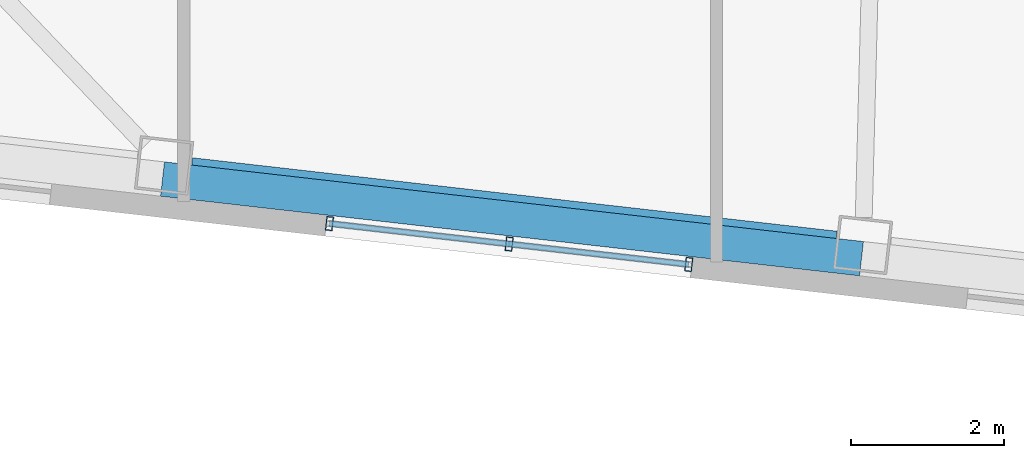
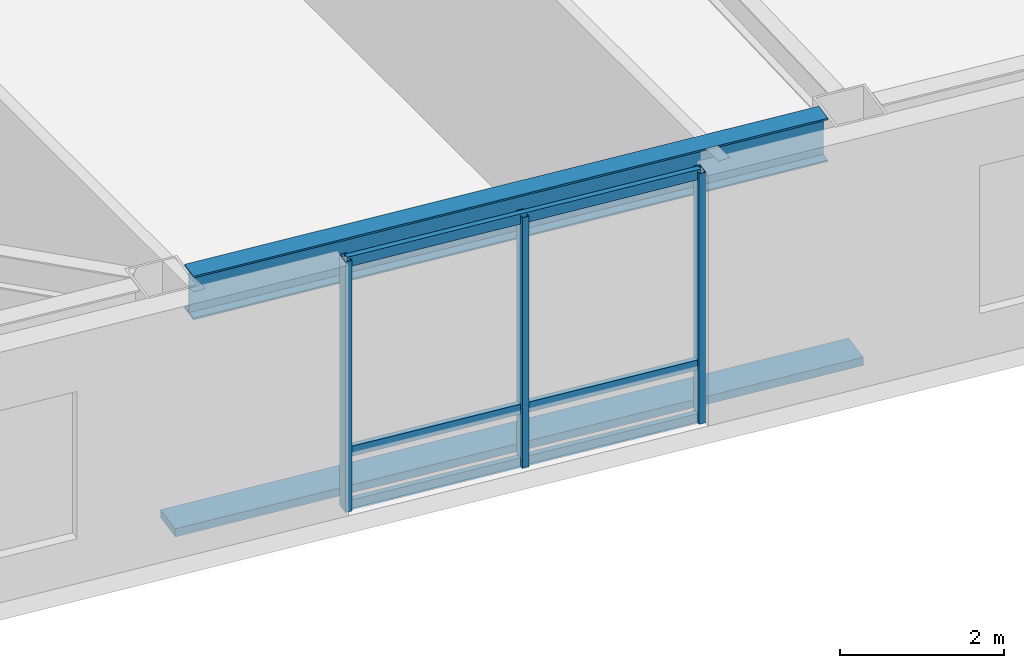
# One storey, part 4 of 23: 7 members, 1 beam, 1 element without a shape of its own.
"""IFC4 building model written with IfcOpenShell, lengths in metres."""

from ifc_helpers import new_model, si_unit, direction, frame, origin, origin_2d, place, context, subcontext, project, spatial, rectangle, hollow_rectangle, i_section, extrude, material, layer, layer_set, material_profile, profile_set, type_object, element, aggregate, save


model = new_model("IFC4")

# Units and contexts
model_context = context("Model", 3, precision=1e-05, world=origin(), true_north=direction((0.0, 1.0)))
body_context = subcontext(model_context, "Body", "Model", "MODEL_VIEW")
ifc_project = project(units=[si_unit("LENGTHUNIT", "METRE"), si_unit("AREAUNIT", "SQUARE_METRE"), si_unit("VOLUMEUNIT", "CUBIC_METRE"), si_unit("PLANEANGLEUNIT", "RADIAN"), si_unit("MASSUNIT", "GRAM", prefix="KILO")], contexts=[model_context])

# Site, building, storey
site_placement = place(None, origin())
site = spatial("IfcSite", under=ifc_project, at=site_placement, CompositionType="ELEMENT")
building_placement = place(site_placement, origin())
building = spatial("IfcBuilding", under=site, at=building_placement, Name="Tavrogorsk Clinical Tower", CompositionType="ELEMENT")
storey_placement = place(building_placement, frame((0.0, 0.0, 113.39990234375)))
storey = spatial("IfcBuildingStorey", under=building, at=storey_placement, Name="L25", CompositionType="ELEMENT", Elevation=113.39990234375)

# Member
ifc_material_1 = material(Name="Anodised aluminium alloy AW-6063", Category="aluminium")
ifc_material_profile_1 = material_profile(ifc_material_1, rectangle(XDim=0.449951171875, YDim=0.1201171875, at=origin_2d()), Name="ALU-SUNSHADE-450x120")
ifc_profile_set_1 = profile_set([ifc_material_profile_1], Name="Anodised aluminium alloy AW-6063")
member_type_1 = type_object("IfcMemberType", Name="ChicagoSunshade_450x120", PredefinedType="USERDEFINED", material=ifc_profile_set_1)
member_1_placement = place(storey_placement, frame((-14.028076171875, -24.385498046875, 0.18017578125), z_axis=(0.993572654864, -0.113196199166, 0.0), x_axis=(0.113196199166, 0.993572654864, 0.0)))
element("IfcMember", 1, at=member_1_placement, inside=storey, type_object=member_type_1, Name="L25 South Aluminium Sunshade S3", ObjectType="SUNSHADE", PredefinedType="USERDEFINED", context=body_context, shape_type="SweptSolid", body=[
    extrude(rectangle(XDim=0.449951171875, YDim=0.1201171875, at=origin_2d()), origin(), (0.0, 0.0, 1.0), 9.17724609375),
])

# Curtain wall, members
ifc_material_2 = material(Name="Anodised aluminium and triple IGU glazing", Category="aluminium")
ifc_layer = layer(ifc_material_2, 0.179931640625)
ifc_layer_set = layer_set([ifc_layer], Name="Anodised aluminium and triple IGU glazing")
curtain_wall_type = type_object("IfcCurtainWallType", Name="CW3_SouthSlot", PredefinedType="NOTDEFINED", material=ifc_layer_set)
curtain_wall_placement = place(storey_placement, origin())
curtain_wall = element("IfcCurtainWall", 2, at=curtain_wall_placement, inside=storey, type_object=curtain_wall_type, Name="L25 Curtain Wall CW-L25-S-SLOT-1", PredefinedType="NOTDEFINED")
ifc_material_3 = material(Name="Anodised aluminium alloy AW-6060", Category="aluminium")
ifc_material_profile_2 = material_profile(ifc_material_3, hollow_rectangle(XDim=0.090087890625, YDim=0.179931640625, WallThickness=0.00634765625, at=origin_2d()), Name="RHS-180x90x6.3")
ifc_profile_set_2 = profile_set([ifc_material_profile_2], Name="Anodised aluminium alloy AW-6060")
member_type_2 = type_object("IfcMemberType", Name="CwMullion_180x90", PredefinedType="MULLION", material=ifc_profile_set_2)
member_2_placement = place(storey_placement, frame((-11.850341796875, -24.9658203125, 0.0), z_axis=(0.0, 0.0, 1.0), x_axis=(0.993571855603, -0.11320321441, 0.0)))
member_2 = element("IfcMember", 3, at=member_2_placement, type_object=member_type_2, Name="CW-L25-S-SLOT-1 Mullion 1", PredefinedType="MULLION", context=body_context, shape_type="SweptSolid", body=[
    extrude(hollow_rectangle(XDim=0.090087890625, YDim=0.179931640625, WallThickness=0.00634765625, at=origin_2d()), origin(), (0.0, 0.0, 1.0), 3.739990234375),
])
member_3_placement = place(storey_placement, frame((-9.50634765625, -25.23291015625, 0.0), z_axis=(0.0, 0.0, 1.0), x_axis=(0.993571855603, -0.11320321441, 0.0)))
member_3 = element("IfcMember", 4, at=member_3_placement, type_object=member_type_2, Name="CW-L25-S-SLOT-1 Mullion 2", PredefinedType="MULLION", context=body_context, shape_type="SweptSolid", body=[
    extrude(hollow_rectangle(XDim=0.090087890625, YDim=0.179931640625, WallThickness=0.00634765625, at=origin_2d()), origin(), (0.0, 0.0, 1.0), 3.739990234375),
])
member_4_placement = place(storey_placement, frame((-7.16259765625, -25.499755859375, 0.0), z_axis=(0.0, 0.0, 1.0), x_axis=(0.993571855603, -0.11320321441, 0.0)))
member_4 = element("IfcMember", 5, at=member_4_placement, type_object=member_type_2, Name="CW-L25-S-SLOT-1 Mullion 3", PredefinedType="MULLION", context=body_context, shape_type="SweptSolid", body=[
    extrude(hollow_rectangle(XDim=0.090087890625, YDim=0.179931640625, WallThickness=0.00634765625, at=origin_2d()), origin(), (0.0, 0.0, 1.0), 3.739990234375),
])
ifc_material_4 = material(Name="Anodised aluminium alloy AW-6060", Category="aluminium")
ifc_material_profile_3 = material_profile(ifc_material_4, hollow_rectangle(XDim=0.074951171875, YDim=0.14990234375, WallThickness=0.0048828125, at=origin_2d()), Name="RHS-150x75x5")
ifc_profile_set_3 = profile_set([ifc_material_profile_3], Name="Anodised aluminium alloy AW-6060")
member_type_3 = type_object("IfcMemberType", Name="CwTransom_150x75", PredefinedType="USERDEFINED", material=ifc_profile_set_3)
member_5_placement = place(storey_placement, frame((-11.850341796875, -24.9658203125, 0.050048828125), z_axis=(0.993575798904, -0.113168599146, 0.0), x_axis=(0.113168599146, 0.993575798904, 0.0)))
member_5 = element("IfcMember", 6, at=member_5_placement, type_object=member_type_3, Name="CW-L25-S-SLOT-1 Transom 1", ObjectType="TRANSOM", PredefinedType="USERDEFINED", context=body_context, shape_type="SweptSolid", body=[
    extrude(hollow_rectangle(XDim=0.074951171875, YDim=0.14990234375, WallThickness=0.0048828125, at=origin_2d()), origin(), (0.0, 0.0, 1.0), 4.718017578125),
])
member_6_placement = place(storey_placement, frame((-11.850341796875, -24.9658203125, 0.85009765625), z_axis=(0.993575798904, -0.113168599146, 0.0), x_axis=(0.113168599146, 0.993575798904, 0.0)))
member_6 = element("IfcMember", 7, at=member_6_placement, type_object=member_type_3, Name="CW-L25-S-SLOT-1 Transom 2", ObjectType="TRANSOM", PredefinedType="USERDEFINED", context=body_context, shape_type="SweptSolid", body=[
    extrude(hollow_rectangle(XDim=0.074951171875, YDim=0.14990234375, WallThickness=0.0048828125, at=origin_2d()), origin(), (0.0, 0.0, 1.0), 4.718017578125),
])
member_7_placement = place(storey_placement, frame((-11.850341796875, -24.9658203125, 3.690185546875), z_axis=(0.993575798904, -0.113168599146, 0.0), x_axis=(0.113168599146, 0.993575798904, 0.0)))
member_7 = element("IfcMember", 8, at=member_7_placement, type_object=member_type_3, Name="CW-L25-S-SLOT-1 Transom 3", ObjectType="TRANSOM", PredefinedType="USERDEFINED", context=body_context, shape_type="SweptSolid", body=[
    extrude(hollow_rectangle(XDim=0.074951171875, YDim=0.14990234375, WallThickness=0.0048828125, at=origin_2d()), origin(), (0.0, 0.0, 1.0), 4.718017578125),
])
aggregate(curtain_wall, [member_2, member_3, member_4, member_5, member_6, member_7])

# Beam
ifc_material_5 = material(Name="Structural steel S390", Category="steel")
ifc_material_profile_4 = material_profile(ifc_material_5, i_section(OverallWidth=0.280029296875, OverallDepth=0.64990234375, WebThickness=0.01611328125, FlangeThickness=0.02490234375, at=origin_2d()), Name="B-650x280x16x25")
ifc_profile_set_4 = profile_set([ifc_material_profile_4], Name="Structural steel S390")
beam_type = type_object("IfcBeamType", Name="SpandrelBeam_B650", PredefinedType="SPANDREL", material=ifc_profile_set_4)
beam_placement = place(storey_placement, frame((-13.652099609375, -24.2470703125, 3.4150390625), z_axis=(0.993569449752, -0.113224328304, 0.0), x_axis=(0.113224328304, 0.993569449752, 0.0)))
element("IfcBeam", 9, at=beam_placement, inside=storey, type_object=beam_type, Name="L25 Perimeter Spandrel S3-S4", PredefinedType="SPANDREL", context=body_context, shape_type="SweptSolid", body=[
    extrude(i_section(OverallWidth=0.280029296875, OverallDepth=0.64990234375, WebThickness=0.01611328125, FlangeThickness=0.02490234375, at=origin_2d()), origin(), (0.0, 0.0, 1.0), 8.461181640625),
])

save(model, "model.ifc")
